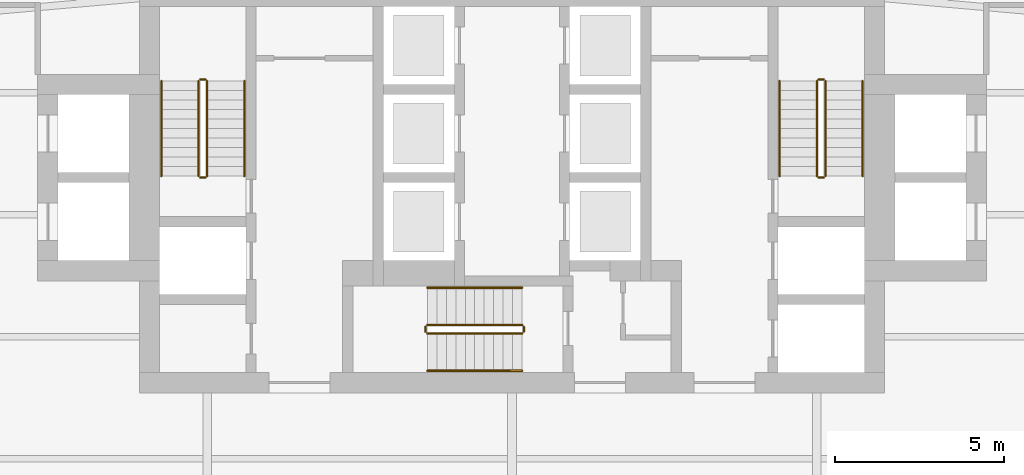
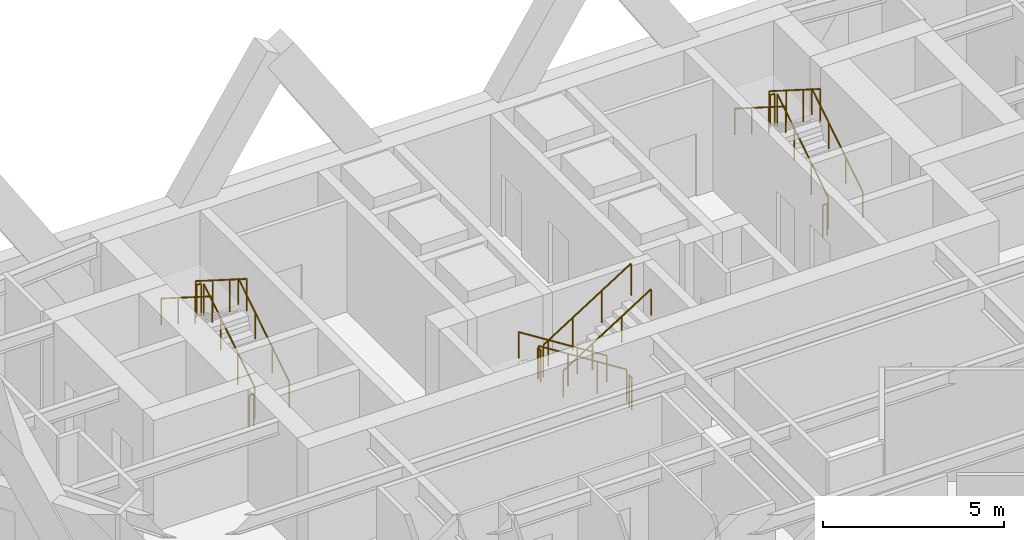
# One storey, part 7 of 8: 18 railings.
"""IFC4 building model written with IfcOpenShell, lengths in metres."""

from ifc_helpers import new_model, si_unit, direction, frame, origin, origin_2d, place, context, subcontext, project, spatial, circle, extrude, material, type_object, element, save


model = new_model("IFC4")

# Units and contexts
model_context = context("Model", 3, precision=1e-05, world=origin(), true_north=direction((0.0, 1.0)))
body_context = subcontext(model_context, "Body", "Model", "MODEL_VIEW")
ifc_project = project(units=[si_unit("LENGTHUNIT", "METRE"), si_unit("AREAUNIT", "SQUARE_METRE"), si_unit("VOLUMEUNIT", "CUBIC_METRE"), si_unit("PLANEANGLEUNIT", "RADIAN"), si_unit("MASSUNIT", "GRAM", prefix="KILO")], contexts=[model_context])

# Site, building, storey
site_placement = place(None, origin())
site = spatial("IfcSite", under=ifc_project, at=site_placement, CompositionType="ELEMENT")
building_placement = place(site_placement, origin())
building = spatial("IfcBuilding", under=site, at=building_placement, Name="Aloe Facet Convention Tower", CompositionType="ELEMENT")
storey_placement = place(building_placement, frame((0.0, 0.0, 128.60009765625)))
storey = spatial("IfcBuildingStorey", under=building, at=storey_placement, Name="L32", CompositionType="ELEMENT", Elevation=128.60009765625)

# Railings
ifc_material_1 = material(Name="Steel S355 balustrade", Category="steel")
railing_type_1 = type_object("IfcRailingType", Name="CR-RL-GUARD", PredefinedType="GUARDRAIL", material=ifc_material_1)
railing_1_placement = place(storey_placement, frame((71.0, 128.949951171875, 0.17724609375)))
element("IfcRailing", 1, at=railing_1_placement, inside=storey, type_object=railing_type_1, Name="L32 ST1 stair guard 1", PredefinedType="GUARDRAIL", context=body_context, shape_type="SweptSolid", body=[
    extrude(circle(Radius=0.02392578125, at=origin_2d()), frame((0.0, 0.0, 1.076171875), z_axis=(0.0, 0.844908973607, 0.534910110503), x_axis=(-1.0, 0.0, 0.0)), (0.0, 0.0, 1.0), 3.31396484375),
    extrude(circle(Radius=0.02099609375, at=origin_2d()), origin(), (0.0, 0.0, 1.0), 1.052001953125),
    extrude(circle(Radius=0.02099609375, at=origin_2d()), frame((0.0, 0.933349609375, 0.5908203125)), (0.0, 0.0, 1.0), 1.052001953125),
    extrude(circle(Radius=0.02099609375, at=origin_2d()), frame((0.0, 1.86669921875, 1.181884765625)), (0.0, 0.0, 1.0), 1.052001953125),
    extrude(circle(Radius=0.02099609375, at=origin_2d()), frame((0.0, 2.800048828125, 1.772705078125)), (0.0, 0.0, 1.0), 1.052001953125),
])
railing_2_placement = place(storey_placement, frame((70.949951171875, 131.800048828125, 1.949951171875)))
element("IfcRailing", 2, at=railing_2_placement, inside=storey, type_object=railing_type_1, Name="L32 ST1 stair guard 2", PredefinedType="GUARDRAIL", context=body_context, shape_type="SweptSolid", body=[
    extrude(circle(Radius=0.02392578125, at=origin_2d()), frame((0.0, 0.0, 1.076171875), z_axis=(-1.0, 0.0, 0.0), x_axis=(0.0, -1.0, 0.0)), (0.0, 0.0, 1.0), 0.14990234375),
    extrude(circle(Radius=0.02099609375, at=origin_2d()), origin(), (0.0, 0.0, 1.0), 1.052001953125),
    extrude(circle(Radius=0.02099609375, at=origin_2d()), frame((-0.14990234375, 0.0, 0.0)), (0.0, 0.0, 1.0), 1.052001953125),
])
railing_3_placement = place(storey_placement, frame((70.75, 131.75, 2.127197265625)))
element("IfcRailing", 3, at=railing_3_placement, inside=storey, type_object=railing_type_1, Name="L32 ST1 stair guard 3", PredefinedType="GUARDRAIL", context=body_context, shape_type="SweptSolid", body=[
    extrude(circle(Radius=0.02392578125, at=origin_2d()), frame((0.0, 0.0, 1.076171875), z_axis=(0.0, -0.844908973607, 0.534910110503), x_axis=(1.0, 0.0, 0.0)), (0.0, 0.0, 1.0), 3.31396484375),
    extrude(circle(Radius=0.02099609375, at=origin_2d()), origin(), (0.0, 0.0, 1.0), 1.052001953125),
    extrude(circle(Radius=0.02099609375, at=origin_2d()), frame((0.0, -0.933349609375, 0.5908203125)), (0.0, 0.0, 1.0), 1.052001953125),
    extrude(circle(Radius=0.02099609375, at=origin_2d()), frame((0.0, -1.86669921875, 1.181884765625)), (0.0, 0.0, 1.0), 1.052001953125),
    extrude(circle(Radius=0.02099609375, at=origin_2d()), frame((0.0, -2.800048828125, 1.772705078125)), (0.0, 0.0, 1.0), 1.052001953125),
])
railing_4_placement = place(storey_placement, frame((70.949951171875, 128.89990234375, 0.0)))
element("IfcRailing", 4, at=railing_4_placement, inside=storey, type_object=railing_type_1, Name="L32 ST1 stair guard 4", PredefinedType="GUARDRAIL", context=body_context, shape_type="SweptSolid", body=[
    extrude(circle(Radius=0.02392578125, at=origin_2d()), frame((0.0, 0.0, 1.076171875), z_axis=(-1.0, 0.0, 0.0), x_axis=(0.0, -1.0, 0.0)), (0.0, 0.0, 1.0), 0.14990234375),
    extrude(circle(Radius=0.02099609375, at=origin_2d()), origin(), (0.0, 0.0, 1.0), 1.052001953125),
    extrude(circle(Radius=0.02099609375, at=origin_2d()), frame((-0.14990234375, 0.0, 0.0)), (0.0, 0.0, 1.0), 1.052001953125),
])
railing_5_placement = place(storey_placement, frame((89.25, 128.949951171875, 0.17724609375)))
element("IfcRailing", 5, at=railing_5_placement, inside=storey, type_object=railing_type_1, Name="L32 ST2 stair guard 1", PredefinedType="GUARDRAIL", context=body_context, shape_type="SweptSolid", body=[
    extrude(circle(Radius=0.02392578125, at=origin_2d()), frame((0.0, 0.0, 1.076171875), z_axis=(0.0, 0.844908973607, 0.534910110503), x_axis=(-1.0, 0.0, 0.0)), (0.0, 0.0, 1.0), 3.31396484375),
    extrude(circle(Radius=0.02099609375, at=origin_2d()), origin(), (0.0, 0.0, 1.0), 1.052001953125),
    extrude(circle(Radius=0.02099609375, at=origin_2d()), frame((0.0, 0.933349609375, 0.5908203125)), (0.0, 0.0, 1.0), 1.052001953125),
    extrude(circle(Radius=0.02099609375, at=origin_2d()), frame((0.0, 1.86669921875, 1.181884765625)), (0.0, 0.0, 1.0), 1.052001953125),
    extrude(circle(Radius=0.02099609375, at=origin_2d()), frame((0.0, 2.800048828125, 1.772705078125)), (0.0, 0.0, 1.0), 1.052001953125),
])
railing_6_placement = place(storey_placement, frame((89.199951171875, 131.800048828125, 1.949951171875)))
element("IfcRailing", 6, at=railing_6_placement, inside=storey, type_object=railing_type_1, Name="L32 ST2 stair guard 2", PredefinedType="GUARDRAIL", context=body_context, shape_type="SweptSolid", body=[
    extrude(circle(Radius=0.02392578125, at=origin_2d()), frame((0.0, 0.0, 1.076171875), z_axis=(-1.0, 0.0, 0.0), x_axis=(0.0, -1.0, 0.0)), (0.0, 0.0, 1.0), 0.14990234375),
    extrude(circle(Radius=0.02099609375, at=origin_2d()), origin(), (0.0, 0.0, 1.0), 1.052001953125),
    extrude(circle(Radius=0.02099609375, at=origin_2d()), frame((-0.14990234375, 0.0, 0.0)), (0.0, 0.0, 1.0), 1.052001953125),
])
railing_7_placement = place(storey_placement, frame((89.0, 131.75, 2.127197265625)))
element("IfcRailing", 7, at=railing_7_placement, inside=storey, type_object=railing_type_1, Name="L32 ST2 stair guard 3", PredefinedType="GUARDRAIL", context=body_context, shape_type="SweptSolid", body=[
    extrude(circle(Radius=0.02392578125, at=origin_2d()), frame((0.0, 0.0, 1.076171875), z_axis=(0.0, -0.844908973607, 0.534910110503), x_axis=(1.0, 0.0, 0.0)), (0.0, 0.0, 1.0), 3.31396484375),
    extrude(circle(Radius=0.02099609375, at=origin_2d()), origin(), (0.0, 0.0, 1.0), 1.052001953125),
    extrude(circle(Radius=0.02099609375, at=origin_2d()), frame((0.0, -0.933349609375, 0.5908203125)), (0.0, 0.0, 1.0), 1.052001953125),
    extrude(circle(Radius=0.02099609375, at=origin_2d()), frame((0.0, -1.86669921875, 1.181884765625)), (0.0, 0.0, 1.0), 1.052001953125),
    extrude(circle(Radius=0.02099609375, at=origin_2d()), frame((0.0, -2.800048828125, 1.772705078125)), (0.0, 0.0, 1.0), 1.052001953125),
])
railing_8_placement = place(storey_placement, frame((89.199951171875, 128.89990234375, 0.0)))
element("IfcRailing", 8, at=railing_8_placement, inside=storey, type_object=railing_type_1, Name="L32 ST2 stair guard 4", PredefinedType="GUARDRAIL", context=body_context, shape_type="SweptSolid", body=[
    extrude(circle(Radius=0.02392578125, at=origin_2d()), frame((0.0, 0.0, 1.076171875), z_axis=(-1.0, 0.0, 0.0), x_axis=(0.0, -1.0, 0.0)), (0.0, 0.0, 1.0), 0.14990234375),
    extrude(circle(Radius=0.02099609375, at=origin_2d()), origin(), (0.0, 0.0, 1.0), 1.052001953125),
    extrude(circle(Radius=0.02099609375, at=origin_2d()), frame((-0.14990234375, 0.0, 0.0)), (0.0, 0.0, 1.0), 1.052001953125),
])
railing_9_placement = place(storey_placement, frame((80.300048828125, 124.550048828125, 0.17724609375)))
element("IfcRailing", 9, at=railing_9_placement, inside=storey, type_object=railing_type_1, Name="L32 ST3 stair guard 1", PredefinedType="GUARDRAIL", context=body_context, shape_type="SweptSolid", body=[
    extrude(circle(Radius=0.02392578125, at=origin_2d()), frame((0.0, 0.0, 1.076171875), z_axis=(-0.844908973607, 0.0, 0.534910110503), x_axis=(0.0, -1.0, 0.0)), (0.0, 0.0, 1.0), 3.31396484375),
    extrude(circle(Radius=0.02099609375, at=origin_2d()), origin(), (0.0, 0.0, 1.0), 1.052001953125),
    extrude(circle(Radius=0.02099609375, at=origin_2d()), frame((-0.933349609375, 0.0, 0.5908203125)), (0.0, 0.0, 1.0), 1.052001953125),
    extrude(circle(Radius=0.02099609375, at=origin_2d()), frame((-1.86669921875, 0.0, 1.181884765625)), (0.0, 0.0, 1.0), 1.052001953125),
    extrude(circle(Radius=0.02099609375, at=origin_2d()), frame((-2.800048828125, 0.0, 1.772705078125)), (0.0, 0.0, 1.0), 1.052001953125),
])
railing_10_placement = place(storey_placement, frame((77.449951171875, 124.5, 1.949951171875)))
element("IfcRailing", 10, at=railing_10_placement, inside=storey, type_object=railing_type_1, Name="L32 ST3 stair guard 2", PredefinedType="GUARDRAIL", context=body_context, shape_type="SweptSolid", body=[
    extrude(circle(Radius=0.02392578125, at=origin_2d()), frame((0.0, 0.0, 1.076171875), z_axis=(0.0, -1.0, 0.0), x_axis=(1.0, 0.0, 0.0)), (0.0, 0.0, 1.0), 0.14990234375),
    extrude(circle(Radius=0.02099609375, at=origin_2d()), origin(), (0.0, 0.0, 1.0), 1.052001953125),
    extrude(circle(Radius=0.02099609375, at=origin_2d()), frame((0.0, -0.14990234375, 0.0)), (0.0, 0.0, 1.0), 1.052001953125),
])
railing_11_placement = place(storey_placement, frame((77.5, 124.300048828125, 2.127197265625)))
element("IfcRailing", 11, at=railing_11_placement, inside=storey, type_object=railing_type_1, Name="L32 ST3 stair guard 3", PredefinedType="GUARDRAIL", context=body_context, shape_type="SweptSolid", body=[
    extrude(circle(Radius=0.02392578125, at=origin_2d()), frame((0.0, 0.0, 1.076171875), z_axis=(0.844908973607, 0.0, 0.534910110503), x_axis=(0.0, 1.0, 0.0)), (0.0, 0.0, 1.0), 3.31396484375),
    extrude(circle(Radius=0.02099609375, at=origin_2d()), origin(), (0.0, 0.0, 1.0), 1.052001953125),
    extrude(circle(Radius=0.02099609375, at=origin_2d()), frame((0.933349609375, 0.0, 0.5908203125)), (0.0, 0.0, 1.0), 1.052001953125),
    extrude(circle(Radius=0.02099609375, at=origin_2d()), frame((1.86669921875, 0.0, 1.181884765625)), (0.0, 0.0, 1.0), 1.052001953125),
    extrude(circle(Radius=0.02099609375, at=origin_2d()), frame((2.800048828125, 0.0, 1.772705078125)), (0.0, 0.0, 1.0), 1.052001953125),
])
railing_12_placement = place(storey_placement, frame((80.35009765625, 124.5, 0.0)))
element("IfcRailing", 12, at=railing_12_placement, inside=storey, type_object=railing_type_1, Name="L32 ST3 stair guard 4", PredefinedType="GUARDRAIL", context=body_context, shape_type="SweptSolid", body=[
    extrude(circle(Radius=0.02392578125, at=origin_2d()), frame((0.0, 0.0, 1.076171875), z_axis=(0.0, -1.0, 0.0), x_axis=(1.0, 0.0, 0.0)), (0.0, 0.0, 1.0), 0.14990234375),
    extrude(circle(Radius=0.02099609375, at=origin_2d()), origin(), (0.0, 0.0, 1.0), 1.052001953125),
    extrude(circle(Radius=0.02099609375, at=origin_2d()), frame((0.0, -0.14990234375, 0.0)), (0.0, 0.0, 1.0), 1.052001953125),
])
ifc_material_2 = material(Name="Steel S355 handrail", Category="steel")
railing_type_2 = type_object("IfcRailingType", Name="CR-RL-HAND", PredefinedType="HANDRAIL", material=ifc_material_2)
railing_13_placement = place(storey_placement, frame((72.10009765625, 128.949951171875, 0.17724609375)))
element("IfcRailing", 13, at=railing_13_placement, inside=storey, type_object=railing_type_2, Name="L32 ST1 stair handrail 1", PredefinedType="HANDRAIL", context=body_context, shape_type="SweptSolid", body=[
    extrude(circle(Radius=0.02392578125, at=origin_2d()), frame((0.0, 0.0, 0.8759765625), z_axis=(0.0, 0.844908973607, 0.534910110503), x_axis=(-1.0, 0.0, 0.0)), (0.0, 0.0, 1.0), 3.31396484375),
    extrude(circle(Radius=0.02099609375, at=origin_2d()), origin(), (0.0, 0.0, 1.0), 0.851806640625),
    extrude(circle(Radius=0.02099609375, at=origin_2d()), frame((0.0, 0.933349609375, 0.5908203125)), (0.0, 0.0, 1.0), 0.851806640625),
    extrude(circle(Radius=0.02099609375, at=origin_2d()), frame((0.0, 1.86669921875, 1.181884765625)), (0.0, 0.0, 1.0), 0.851806640625),
    extrude(circle(Radius=0.02099609375, at=origin_2d()), frame((0.0, 2.800048828125, 1.772705078125)), (0.0, 0.0, 1.0), 0.851806640625),
])
railing_14_placement = place(storey_placement, frame((69.64990234375, 131.75, 2.127197265625)))
element("IfcRailing", 14, at=railing_14_placement, inside=storey, type_object=railing_type_2, Name="L32 ST1 stair handrail 2", PredefinedType="HANDRAIL", context=body_context, shape_type="SweptSolid", body=[
    extrude(circle(Radius=0.02392578125, at=origin_2d()), frame((0.0, 0.0, 0.8759765625), z_axis=(0.0, -0.844908973607, 0.534910110503), x_axis=(1.0, 0.0, 0.0)), (0.0, 0.0, 1.0), 3.31396484375),
    extrude(circle(Radius=0.02099609375, at=origin_2d()), origin(), (0.0, 0.0, 1.0), 0.851806640625),
    extrude(circle(Radius=0.02099609375, at=origin_2d()), frame((0.0, -0.933349609375, 0.5908203125)), (0.0, 0.0, 1.0), 0.851806640625),
    extrude(circle(Radius=0.02099609375, at=origin_2d()), frame((0.0, -1.86669921875, 1.181884765625)), (0.0, 0.0, 1.0), 0.851806640625),
    extrude(circle(Radius=0.02099609375, at=origin_2d()), frame((0.0, -2.800048828125, 1.772705078125)), (0.0, 0.0, 1.0), 0.851806640625),
])
railing_15_placement = place(storey_placement, frame((90.35009765625, 128.949951171875, 0.17724609375)))
element("IfcRailing", 15, at=railing_15_placement, inside=storey, type_object=railing_type_2, Name="L32 ST2 stair handrail 1", PredefinedType="HANDRAIL", context=body_context, shape_type="SweptSolid", body=[
    extrude(circle(Radius=0.02392578125, at=origin_2d()), frame((0.0, 0.0, 0.8759765625), z_axis=(0.0, 0.844908973607, 0.534910110503), x_axis=(-1.0, 0.0, 0.0)), (0.0, 0.0, 1.0), 3.31396484375),
    extrude(circle(Radius=0.02099609375, at=origin_2d()), origin(), (0.0, 0.0, 1.0), 0.851806640625),
    extrude(circle(Radius=0.02099609375, at=origin_2d()), frame((0.0, 0.933349609375, 0.5908203125)), (0.0, 0.0, 1.0), 0.851806640625),
    extrude(circle(Radius=0.02099609375, at=origin_2d()), frame((0.0, 1.86669921875, 1.181884765625)), (0.0, 0.0, 1.0), 0.851806640625),
    extrude(circle(Radius=0.02099609375, at=origin_2d()), frame((0.0, 2.800048828125, 1.772705078125)), (0.0, 0.0, 1.0), 0.851806640625),
])
railing_16_placement = place(storey_placement, frame((87.89990234375, 131.75, 2.127197265625)))
element("IfcRailing", 16, at=railing_16_placement, inside=storey, type_object=railing_type_2, Name="L32 ST2 stair handrail 2", PredefinedType="HANDRAIL", context=body_context, shape_type="SweptSolid", body=[
    extrude(circle(Radius=0.02392578125, at=origin_2d()), frame((0.0, 0.0, 0.8759765625), z_axis=(0.0, -0.844908973607, 0.534910110503), x_axis=(1.0, 0.0, 0.0)), (0.0, 0.0, 1.0), 3.31396484375),
    extrude(circle(Radius=0.02099609375, at=origin_2d()), origin(), (0.0, 0.0, 1.0), 0.851806640625),
    extrude(circle(Radius=0.02099609375, at=origin_2d()), frame((0.0, -0.933349609375, 0.5908203125)), (0.0, 0.0, 1.0), 0.851806640625),
    extrude(circle(Radius=0.02099609375, at=origin_2d()), frame((0.0, -1.86669921875, 1.181884765625)), (0.0, 0.0, 1.0), 0.851806640625),
    extrude(circle(Radius=0.02099609375, at=origin_2d()), frame((0.0, -2.800048828125, 1.772705078125)), (0.0, 0.0, 1.0), 0.851806640625),
])
railing_17_placement = place(storey_placement, frame((80.300048828125, 125.64990234375, 0.17724609375)))
element("IfcRailing", 17, at=railing_17_placement, inside=storey, type_object=railing_type_2, Name="L32 ST3 stair handrail 1", PredefinedType="HANDRAIL", context=body_context, shape_type="SweptSolid", body=[
    extrude(circle(Radius=0.02392578125, at=origin_2d()), frame((0.0, 0.0, 0.8759765625), z_axis=(-0.844908973607, 0.0, 0.534910110503), x_axis=(0.0, -1.0, 0.0)), (0.0, 0.0, 1.0), 3.31396484375),
    extrude(circle(Radius=0.02099609375, at=origin_2d()), origin(), (0.0, 0.0, 1.0), 0.851806640625),
    extrude(circle(Radius=0.02099609375, at=origin_2d()), frame((-0.933349609375, 0.0, 0.5908203125)), (0.0, 0.0, 1.0), 0.851806640625),
    extrude(circle(Radius=0.02099609375, at=origin_2d()), frame((-1.86669921875, 0.0, 1.181884765625)), (0.0, 0.0, 1.0), 0.851806640625),
    extrude(circle(Radius=0.02099609375, at=origin_2d()), frame((-2.800048828125, 0.0, 1.772705078125)), (0.0, 0.0, 1.0), 0.851806640625),
])
railing_18_placement = place(storey_placement, frame((77.5, 123.199951171875, 2.127197265625)))
element("IfcRailing", 18, at=railing_18_placement, inside=storey, type_object=railing_type_2, Name="L32 ST3 stair handrail 2", PredefinedType="HANDRAIL", context=body_context, shape_type="SweptSolid", body=[
    extrude(circle(Radius=0.02392578125, at=origin_2d()), frame((0.0, 0.0, 0.8759765625), z_axis=(0.844908973607, 0.0, 0.534910110503), x_axis=(0.0, 1.0, 0.0)), (0.0, 0.0, 1.0), 3.31396484375),
    extrude(circle(Radius=0.02099609375, at=origin_2d()), origin(), (0.0, 0.0, 1.0), 0.851806640625),
    extrude(circle(Radius=0.02099609375, at=origin_2d()), frame((0.933349609375, 0.0, 0.5908203125)), (0.0, 0.0, 1.0), 0.851806640625),
    extrude(circle(Radius=0.02099609375, at=origin_2d()), frame((1.86669921875, 0.0, 1.181884765625)), (0.0, 0.0, 1.0), 0.851806640625),
    extrude(circle(Radius=0.02099609375, at=origin_2d()), frame((2.800048828125, 0.0, 1.772705078125)), (0.0, 0.0, 1.0), 0.851806640625),
])

save(model, "model.ifc")
